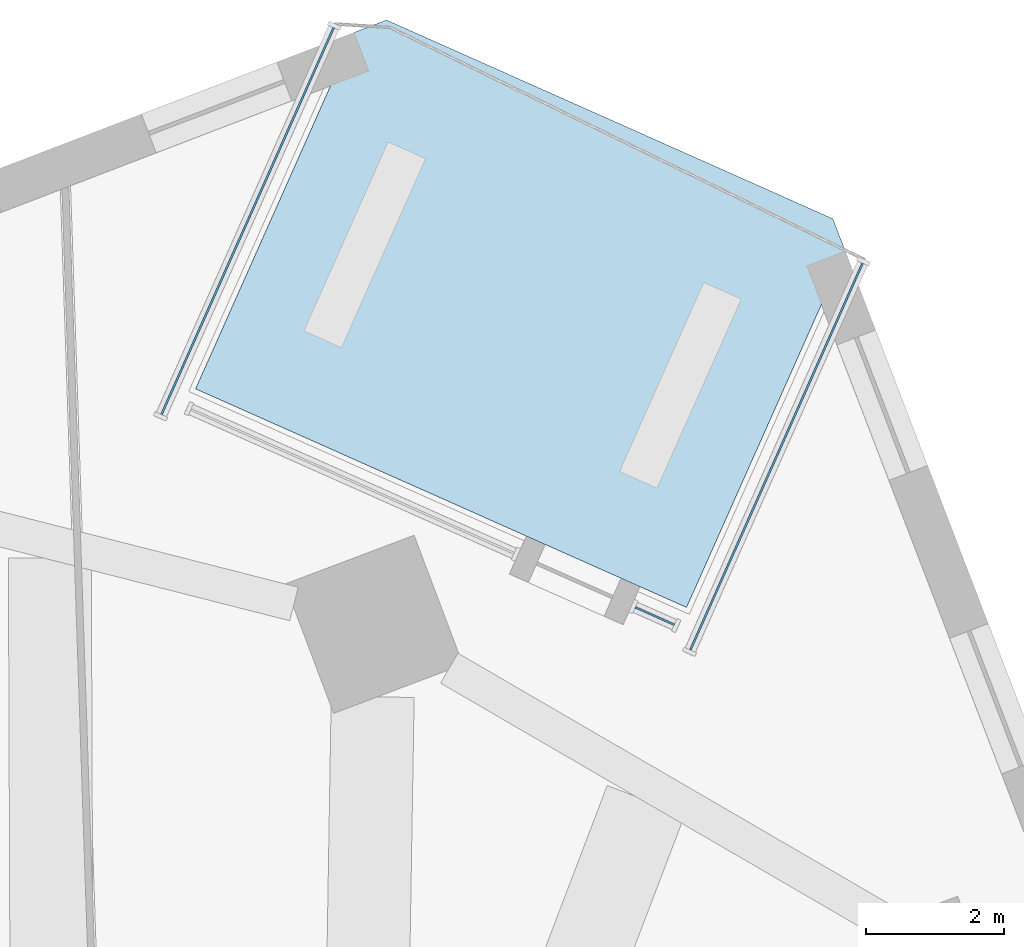
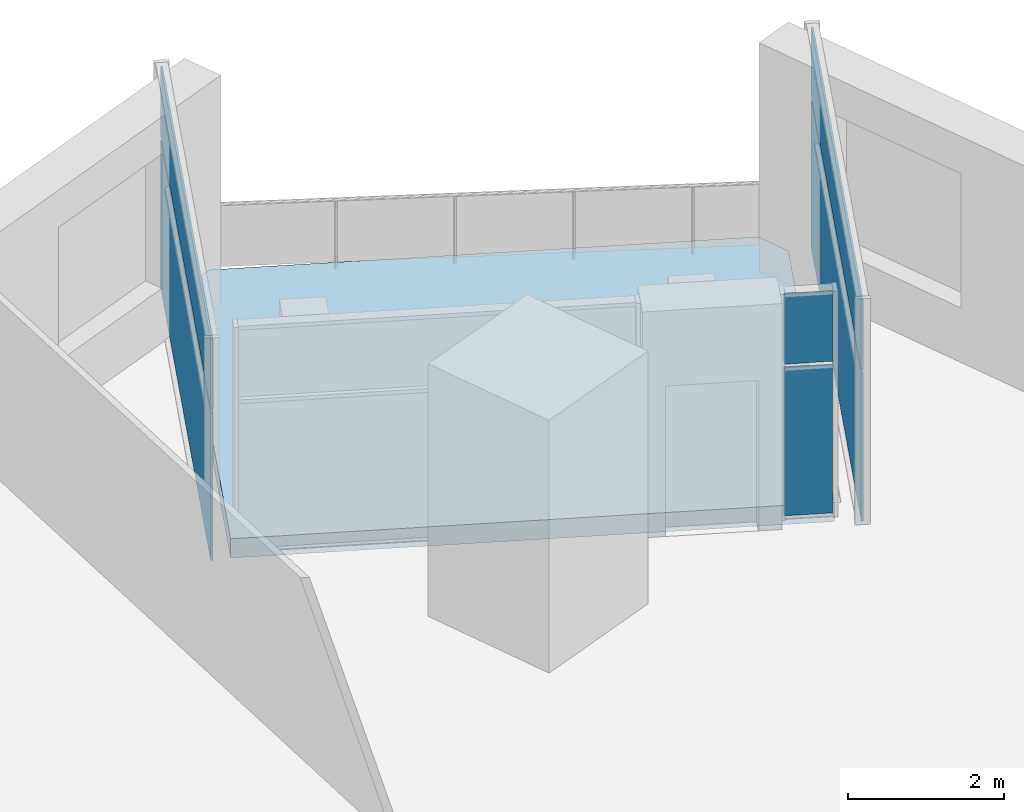
# One storey, part 6 of 14: 6 plates, 1 slab, 3 elements without a shape of their own.
"""IFC4 building model written with IfcOpenShell, lengths in metres."""

from ifc_helpers import new_model, si_unit, direction, frame, origin, origin_2d, place, context, subcontext, project, spatial, polyline, rectangle, outline, extrude, material, layer, layer_set, type_object, element, aggregate, save


model = new_model("IFC4")

# Units and contexts
model_context = context("Model", 3, precision=1e-05, world=origin(), true_north=direction((0.0, 1.0)))
body_context = subcontext(model_context, "Body", "Model", "MODEL_VIEW")
ifc_project = project(units=[si_unit("LENGTHUNIT", "METRE"), si_unit("AREAUNIT", "SQUARE_METRE"), si_unit("VOLUMEUNIT", "CUBIC_METRE"), si_unit("PLANEANGLEUNIT", "RADIAN"), si_unit("MASSUNIT", "GRAM", prefix="KILO")], contexts=[model_context])

# Site, building, storey
site_placement = place(None, origin())
site = spatial("IfcSite", under=ifc_project, at=site_placement, CompositionType="ELEMENT")
building_placement = place(site_placement, origin())
building = spatial("IfcBuilding", under=site, at=building_placement, Name="Dilmun Exchange Tower", CompositionType="ELEMENT")
storey_placement = place(building_placement, frame((0.0, 0.0, 110.10009765625)))
storey = spatial("IfcBuildingStorey", under=building, at=storey_placement, Name="L25", CompositionType="ELEMENT", Elevation=110.10009765625)

# Curtain wall, plates
ifc_material_1 = material(Name="Anodised aluminium and clear glass", Category="aluminium")
curtain_wall_type = type_object("IfcCurtainWallType", Name="Garden corner glazing", PredefinedType="NOTDEFINED", material=ifc_material_1)
curtain_wall_1_placement = place(storey_placement, origin())
curtain_wall_1 = element("IfcCurtainWall", 1, at=curtain_wall_1_placement, inside=storey, type_object=curtain_wall_type, Name="Garden corner glazing run GC1.1", PredefinedType="NOTDEFINED")
ifc_material_2 = material(Name="Clear glass", Category="glass")
ifc_layer_1 = layer(ifc_material_2, 0.028076171875)
ifc_layer_set_1 = layer_set([ifc_layer_1], Name="Clear glass")
plate_type = type_object("IfcPlateType", Name="Garden corner glazing glass panel 28", PredefinedType="CURTAIN_PANEL", material=ifc_layer_set_1)
plate_1_placement = place(storey_placement, frame((18.94775390625, 28.781494140625, 0.059814453125), z_axis=(0.0, 0.0, 1.0), x_axis=(-0.406742926585, -0.913542660018, 0.0)))
plate_1 = element("IfcPlate", 2, at=plate_1_placement, type_object=plate_type, Name="GC1.1 panel 1.1", PredefinedType="CURTAIN_PANEL", context=body_context, shape_type="SweptSolid", body=[
    extrude(rectangle(XDim=6.12646484375, YDim=0.028076171875, at=origin_2d()), origin(), (0.0, 0.0, 1.0), 2.31005859375),
])
plate_2_placement = place(storey_placement, frame((18.94775390625, 28.781494140625, 2.4296875), z_axis=(0.0, 0.0, 1.0), x_axis=(-0.406742926585, -0.913542660018, 0.0)))
plate_2 = element("IfcPlate", 3, at=plate_2_placement, type_object=plate_type, Name="GC1.1 panel 1.2", PredefinedType="CURTAIN_PANEL", context=body_context, shape_type="SweptSolid", body=[
    extrude(rectangle(XDim=6.12646484375, YDim=0.028076171875, at=origin_2d()), origin(), (0.0, 0.0, 1.0), 1.090087890625),
])
aggregate(curtain_wall_1, [plate_1, plate_2])

curtain_wall_2_placement = place(storey_placement, origin())
curtain_wall_2 = element("IfcCurtainWall", 4, at=curtain_wall_2_placement, inside=storey, type_object=curtain_wall_type, Name="Garden corner glazing run GC2.1", PredefinedType="NOTDEFINED")
plate_3_placement = place(storey_placement, frame((17.18798828125, 26.474609375, 0.059814453125), z_axis=(0.0, 0.0, 1.0), x_axis=(-0.913504435654, 0.406828767469, 0.0)))
plate_3 = element("IfcPlate", 5, at=plate_3_placement, type_object=plate_type, Name="GC2.1 panel 1.1", PredefinedType="CURTAIN_PANEL", context=body_context, shape_type="SweptSolid", body=[
    extrude(rectangle(XDim=0.619140625, YDim=0.028076171875, at=origin_2d()), origin(), (0.0, 0.0, 1.0), 2.31005859375),
])
plate_4_placement = place(storey_placement, frame((17.18798828125, 26.474609375, 2.4296875), z_axis=(0.0, 0.0, 1.0), x_axis=(-0.913504435654, 0.406828767469, 0.0)))
plate_4 = element("IfcPlate", 6, at=plate_4_placement, type_object=plate_type, Name="GC2.1 panel 1.2", PredefinedType="CURTAIN_PANEL", context=body_context, shape_type="SweptSolid", body=[
    extrude(rectangle(XDim=0.619140625, YDim=0.028076171875, at=origin_2d()), origin(), (0.0, 0.0, 1.0), 1.090087890625),
])
aggregate(curtain_wall_2, [plate_3, plate_4])

curtain_wall_3_placement = place(storey_placement, origin())
curtain_wall_3 = element("IfcCurtainWall", 7, at=curtain_wall_3_placement, inside=storey, type_object=curtain_wall_type, Name="Garden corner glazing run GC3.1", PredefinedType="NOTDEFINED")
plate_5_placement = place(storey_placement, frame((11.2939453125, 32.189208984375, 0.059814453125), z_axis=(0.0, 0.0, 1.0), x_axis=(0.406742926585, 0.913542660018, 0.0)))
plate_5 = element("IfcPlate", 8, at=plate_5_placement, type_object=plate_type, Name="GC3.1 panel 1.1", PredefinedType="CURTAIN_PANEL", context=body_context, shape_type="SweptSolid", body=[
    extrude(rectangle(XDim=6.12646484375, YDim=0.028076171875, at=origin_2d()), origin(), (0.0, 0.0, 1.0), 2.31005859375),
])
plate_6_placement = place(storey_placement, frame((11.2939453125, 32.189208984375, 2.4296875), z_axis=(0.0, 0.0, 1.0), x_axis=(0.406742926585, 0.913542660018, 0.0)))
plate_6 = element("IfcPlate", 9, at=plate_6_placement, type_object=plate_type, Name="GC3.1 panel 1.2", PredefinedType="CURTAIN_PANEL", context=body_context, shape_type="SweptSolid", body=[
    extrude(rectangle(XDim=6.12646484375, YDim=0.028076171875, at=origin_2d()), origin(), (0.0, 0.0, 1.0), 1.090087890625),
])
aggregate(curtain_wall_3, [plate_5, plate_6])

# Slab
ifc_material_3 = material(Name="Concrete C40/50", Category="concrete")
ifc_layer_2 = layer(ifc_material_3, 0.300048828125)
ifc_layer_set_2 = layer_set([ifc_layer_2], Name="Concrete C40/50")
slab_type = type_object("IfcSlabType", Name="RC garden terrace slab 300", PredefinedType="FLOOR", material=ifc_layer_set_2)
slab_placement = place(storey_placement, frame((0.0, 0.0, -0.300048828125)))
element("IfcSlab", 10, at=slab_placement, inside=storey, type_object=slab_type, Name="Garden terrace slab", PredefinedType="FLOOR", context=body_context, shape_type="SweptSolid", body=[
    extrude(outline(polyline([(10.541748046875, 29.761962890625), (12.83837890625, 34.92041015625), (13.30517578125, 35.099609375), (19.764892578125, 32.223388671875), (19.944091796875, 31.756591796875), (17.6474609375, 26.598388671875), (10.541748046875, 29.761962890625)])), origin(), (0.0, 0.0, 1.0), 0.300048828125),
])

save(model, "model.ifc")
